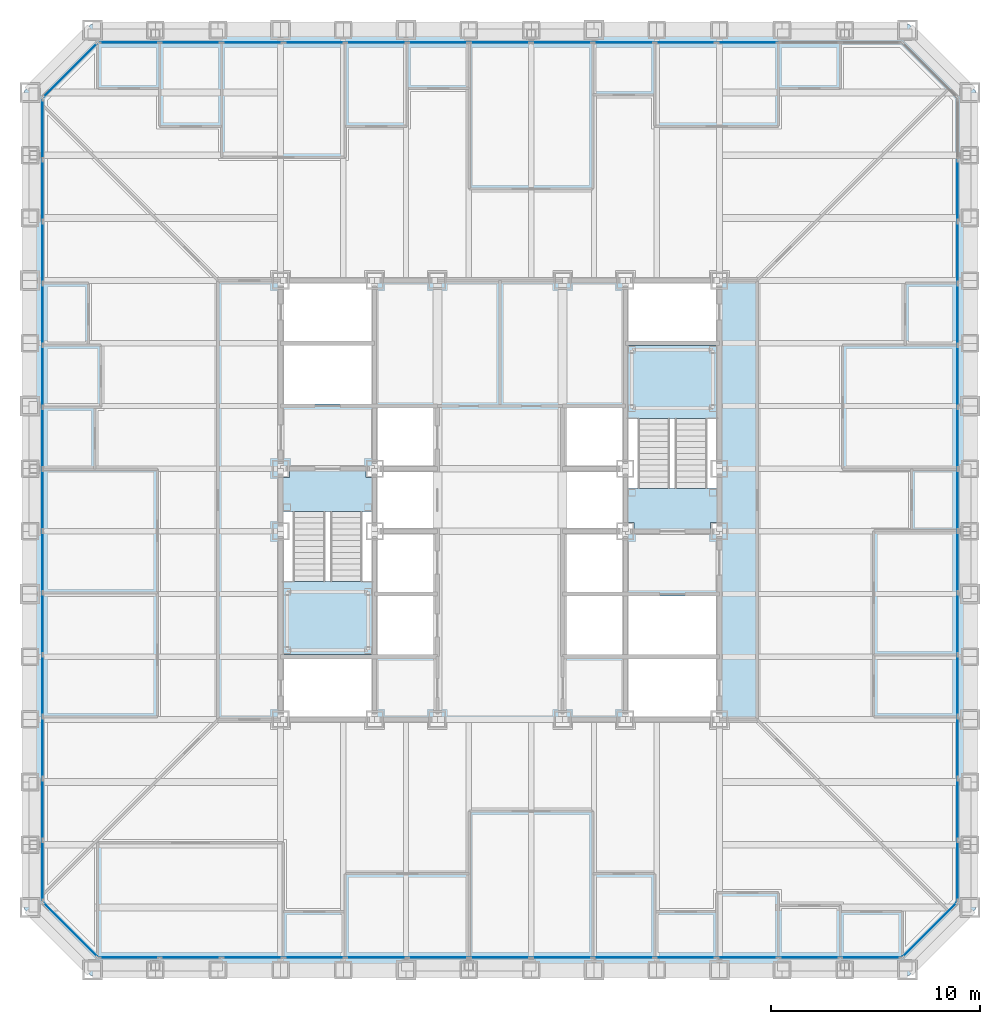
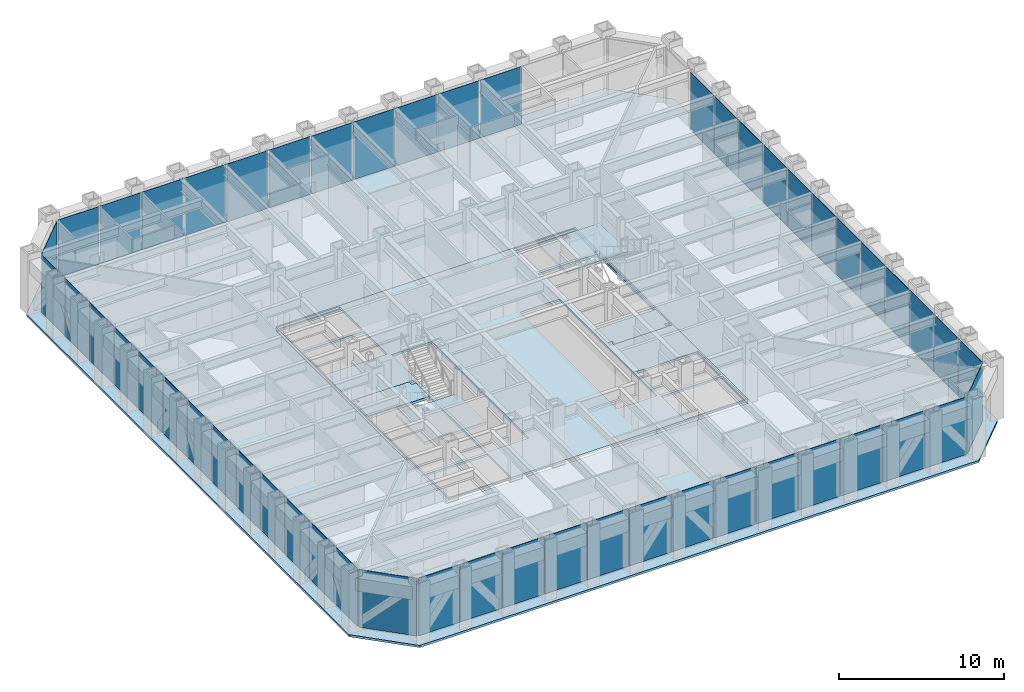
# One storey, part 7 of 17: 52 plates, 6 slabs, 9 elements without a shape of their own.
"""IFC4 building model written with IfcOpenShell, lengths in metres."""

from ifc_helpers import new_model, si_unit, direction, frame, origin, origin_2d, place, context, subcontext, project, spatial, polyline, rectangle, outline, extrude, material, layer, layer_set, type_object, element, aggregate, save


model = new_model("IFC4")

# Units and contexts
model_context = context("Model", 3, precision=1e-05, world=origin(), true_north=direction((0.0, 1.0)))
body_context = subcontext(model_context, "Body", "Model", "MODEL_VIEW")
ifc_project = project(units=[si_unit("LENGTHUNIT", "METRE"), si_unit("AREAUNIT", "SQUARE_METRE"), si_unit("VOLUMEUNIT", "CUBIC_METRE"), si_unit("PLANEANGLEUNIT", "RADIAN"), si_unit("MASSUNIT", "GRAM", prefix="KILO")], contexts=[model_context])

# Site, building, storey
site_placement = place(None, origin())
site = spatial("IfcSite", under=ifc_project, at=site_placement, CompositionType="ELEMENT")
building_placement = place(site_placement, origin())
building = spatial("IfcBuilding", under=site, at=building_placement, Name="Chuquiago Exchange Tower", CompositionType="ELEMENT")
storey_placement = place(building_placement, frame((0.0, 0.0, 87.300048828125)))
storey = spatial("IfcBuildingStorey", under=building, at=storey_placement, Name="L18", CompositionType="ELEMENT", Elevation=87.300048828125)

# Curtain wall, plates
ifc_material_1 = material(Name="Aluminium curtain wall system", Category="aluminium")
ifc_layer_1 = layer(ifc_material_1, 0.25)
ifc_layer_set_1 = layer_set([ifc_layer_1], Name="CW1 trading floor curtain wall")
curtain_wall_type_1 = type_object("IfcCurtainWallType", Name="CW1 trading floor curtain wall", PredefinedType="NOTDEFINED", material=ifc_layer_set_1)
curtain_wall_1_placement = place(storey_placement, origin())
curtain_wall_1 = element("IfcCurtainWall", 1, at=curtain_wall_1_placement, inside=storey, type_object=curtain_wall_type_1, Name="CW1 curtain wall L18", PredefinedType="NOTDEFINED")
ifc_material_2 = material(Name="Glass, insulating unit", Category="glass")
ifc_layer_2 = layer(ifc_material_2, 0.031982421875)
ifc_layer_set_2 = layer_set([ifc_layer_2], Name="CW1-P panel 32")
plate_type_1 = type_object("IfcPlateType", Name="CW1-P panel 32", PredefinedType="CURTAIN_PANEL", material=ifc_layer_set_2)
plate_1_placement = place(storey_placement, frame((10.65283203125, 0.60009765625, -0.22509765625), z_axis=(0.0, 0.0, 1.0), x_axis=(1.0, 0.0, 0.0)))
plate_1 = element("IfcPlate", 2, at=plate_1_placement, type_object=plate_type_1, Name="CW1 panel 3.1", PredefinedType="CURTAIN_PANEL", context=body_context, shape_type="SweptSolid", body=[
    extrude(rectangle(XDim=2.88671875, YDim=0.031982421875, at=origin_2d()), origin(), (0.0, 0.0, 1.0), 4.264892578125),
])
plate_2_placement = place(storey_placement, frame((13.61474609375, 0.60009765625, -0.22509765625), z_axis=(0.0, 0.0, 1.0), x_axis=(1.0, 0.0, 0.0)))
plate_2 = element("IfcPlate", 3, at=plate_2_placement, type_object=plate_type_1, Name="CW1 panel 4.1", PredefinedType="CURTAIN_PANEL", context=body_context, shape_type="SweptSolid", body=[
    extrude(rectangle(XDim=2.88671875, YDim=0.031982421875, at=origin_2d()), origin(), (0.0, 0.0, 1.0), 4.264892578125),
])
plate_3_placement = place(storey_placement, frame((16.576416015625, 0.60009765625, -0.22509765625), z_axis=(0.0, 0.0, 1.0), x_axis=(1.0, 0.0, 0.0)))
plate_3 = element("IfcPlate", 4, at=plate_3_placement, type_object=plate_type_1, Name="CW1 panel 5.1", PredefinedType="CURTAIN_PANEL", context=body_context, shape_type="SweptSolid", body=[
    extrude(rectangle(XDim=2.88671875, YDim=0.031982421875, at=origin_2d()), origin(), (0.0, 0.0, 1.0), 4.264892578125),
])
plate_4_placement = place(storey_placement, frame((25.461669921875, 0.60009765625, -0.22509765625), z_axis=(0.0, 0.0, 1.0), x_axis=(1.0, 0.0, 0.0)))
plate_4 = element("IfcPlate", 5, at=plate_4_placement, type_object=plate_type_1, Name="CW1 panel 8.1", PredefinedType="CURTAIN_PANEL", context=body_context, shape_type="SweptSolid", body=[
    extrude(rectangle(XDim=2.88671875, YDim=0.031982421875, at=origin_2d()), origin(), (0.0, 0.0, 1.0), 4.264892578125),
])
plate_5_placement = place(storey_placement, frame((28.423583984375, 0.60009765625, -0.22509765625), z_axis=(0.0, 0.0, 1.0), x_axis=(1.0, 0.0, 0.0)))
plate_5 = element("IfcPlate", 6, at=plate_5_placement, type_object=plate_type_1, Name="CW1 panel 9.1", PredefinedType="CURTAIN_PANEL", context=body_context, shape_type="SweptSolid", body=[
    extrude(rectangle(XDim=2.88671875, YDim=0.031982421875, at=origin_2d()), origin(), (0.0, 0.0, 1.0), 4.264892578125),
])
plate_6_placement = place(storey_placement, frame((31.38525390625, 0.60009765625, -0.22509765625), z_axis=(0.0, 0.0, 1.0), x_axis=(1.0, 0.0, 0.0)))
plate_6 = element("IfcPlate", 7, at=plate_6_placement, type_object=plate_type_1, Name="CW1 panel 10.1", PredefinedType="CURTAIN_PANEL", context=body_context, shape_type="SweptSolid", body=[
    extrude(rectangle(XDim=2.88671875, YDim=0.031982421875, at=origin_2d()), origin(), (0.0, 0.0, 1.0), 4.264892578125),
])
plate_7_placement = place(storey_placement, frame((34.34716796875, 0.60009765625, -0.22509765625), z_axis=(0.0, 0.0, 1.0), x_axis=(1.0, 0.0, 0.0)))
plate_7 = element("IfcPlate", 8, at=plate_7_placement, type_object=plate_type_1, Name="CW1 panel 11.1", PredefinedType="CURTAIN_PANEL", context=body_context, shape_type="SweptSolid", body=[
    extrude(rectangle(XDim=2.88671875, YDim=0.031982421875, at=origin_2d()), origin(), (0.0, 0.0, 1.0), 4.264892578125),
])

curtain_wall_2_placement = place(storey_placement, origin())
curtain_wall_2 = element("IfcCurtainWall", 9, at=curtain_wall_2_placement, inside=storey, type_object=curtain_wall_type_1, Name="CW1 curtain wall L18", PredefinedType="NOTDEFINED")
plate_8_placement = place(storey_placement, frame((44.39990234375, 10.65283203125, -0.22509765625), z_axis=(0.0, 0.0, 1.0), x_axis=(0.0, 1.0, 0.0)))
plate_8 = element("IfcPlate", 10, at=plate_8_placement, type_object=plate_type_1, Name="CW1 panel 3.1", PredefinedType="CURTAIN_PANEL", context=body_context, shape_type="SweptSolid", body=[
    extrude(rectangle(XDim=2.88671875, YDim=0.031982421875, at=origin_2d()), origin(), (0.0, 0.0, 1.0), 4.264892578125),
])
plate_9_placement = place(storey_placement, frame((44.39990234375, 13.61474609375, -0.22509765625), z_axis=(0.0, 0.0, 1.0), x_axis=(0.0, 1.0, 0.0)))
plate_9 = element("IfcPlate", 11, at=plate_9_placement, type_object=plate_type_1, Name="CW1 panel 4.1", PredefinedType="CURTAIN_PANEL", context=body_context, shape_type="SweptSolid", body=[
    extrude(rectangle(XDim=2.88671875, YDim=0.031982421875, at=origin_2d()), origin(), (0.0, 0.0, 1.0), 4.264892578125),
])
plate_10_placement = place(storey_placement, frame((44.39990234375, 16.576416015625, -0.22509765625), z_axis=(0.0, 0.0, 1.0), x_axis=(0.0, 1.0, 0.0)))
plate_10 = element("IfcPlate", 12, at=plate_10_placement, type_object=plate_type_1, Name="CW1 panel 5.1", PredefinedType="CURTAIN_PANEL", context=body_context, shape_type="SweptSolid", body=[
    extrude(rectangle(XDim=2.88671875, YDim=0.031982421875, at=origin_2d()), origin(), (0.0, 0.0, 1.0), 4.264892578125),
])
plate_11_placement = place(storey_placement, frame((44.39990234375, 25.461669921875, -0.22509765625), z_axis=(0.0, 0.0, 1.0), x_axis=(0.0, 1.0, 0.0)))
plate_11 = element("IfcPlate", 13, at=plate_11_placement, type_object=plate_type_1, Name="CW1 panel 8.1", PredefinedType="CURTAIN_PANEL", context=body_context, shape_type="SweptSolid", body=[
    extrude(rectangle(XDim=2.88671875, YDim=0.031982421875, at=origin_2d()), origin(), (0.0, 0.0, 1.0), 4.264892578125),
])
plate_12_placement = place(storey_placement, frame((44.39990234375, 28.423583984375, -0.22509765625), z_axis=(0.0, 0.0, 1.0), x_axis=(0.0, 1.0, 0.0)))
plate_12 = element("IfcPlate", 14, at=plate_12_placement, type_object=plate_type_1, Name="CW1 panel 9.1", PredefinedType="CURTAIN_PANEL", context=body_context, shape_type="SweptSolid", body=[
    extrude(rectangle(XDim=2.88671875, YDim=0.031982421875, at=origin_2d()), origin(), (0.0, 0.0, 1.0), 4.264892578125),
])
plate_13_placement = place(storey_placement, frame((44.39990234375, 31.38525390625, -0.22509765625), z_axis=(0.0, 0.0, 1.0), x_axis=(0.0, 1.0, 0.0)))
plate_13 = element("IfcPlate", 15, at=plate_13_placement, type_object=plate_type_1, Name="CW1 panel 10.1", PredefinedType="CURTAIN_PANEL", context=body_context, shape_type="SweptSolid", body=[
    extrude(rectangle(XDim=2.88671875, YDim=0.031982421875, at=origin_2d()), origin(), (0.0, 0.0, 1.0), 4.264892578125),
])
plate_14_placement = place(storey_placement, frame((44.39990234375, 34.34716796875, -0.22509765625), z_axis=(0.0, 0.0, 1.0), x_axis=(0.0, 1.0, 0.0)))
plate_14 = element("IfcPlate", 16, at=plate_14_placement, type_object=plate_type_1, Name="CW1 panel 11.1", PredefinedType="CURTAIN_PANEL", context=body_context, shape_type="SweptSolid", body=[
    extrude(rectangle(XDim=2.88671875, YDim=0.031982421875, at=origin_2d()), origin(), (0.0, 0.0, 1.0), 4.264892578125),
])

curtain_wall_3_placement = place(storey_placement, origin())
curtain_wall_3 = element("IfcCurtainWall", 17, at=curtain_wall_3_placement, inside=storey, type_object=curtain_wall_type_1, Name="CW1 curtain wall L18", PredefinedType="NOTDEFINED")
plate_15_placement = place(storey_placement, frame((34.34716796875, 44.39990234375, -0.22509765625), z_axis=(0.0, 0.0, 1.0), x_axis=(-1.0, 0.0, 0.0)))
plate_15 = element("IfcPlate", 18, at=plate_15_placement, type_object=plate_type_1, Name="CW1 panel 3.1", PredefinedType="CURTAIN_PANEL", context=body_context, shape_type="SweptSolid", body=[
    extrude(rectangle(XDim=2.88671875, YDim=0.031982421875, at=origin_2d()), origin(), (0.0, 0.0, 1.0), 4.264892578125),
])
plate_16_placement = place(storey_placement, frame((31.38525390625, 44.39990234375, -0.22509765625), z_axis=(0.0, 0.0, 1.0), x_axis=(-1.0, 0.0, 0.0)))
plate_16 = element("IfcPlate", 19, at=plate_16_placement, type_object=plate_type_1, Name="CW1 panel 4.1", PredefinedType="CURTAIN_PANEL", context=body_context, shape_type="SweptSolid", body=[
    extrude(rectangle(XDim=2.88671875, YDim=0.031982421875, at=origin_2d()), origin(), (0.0, 0.0, 1.0), 4.264892578125),
])
plate_17_placement = place(storey_placement, frame((28.423583984375, 44.39990234375, -0.22509765625), z_axis=(0.0, 0.0, 1.0), x_axis=(-1.0, 0.0, 0.0)))
plate_17 = element("IfcPlate", 20, at=plate_17_placement, type_object=plate_type_1, Name="CW1 panel 5.1", PredefinedType="CURTAIN_PANEL", context=body_context, shape_type="SweptSolid", body=[
    extrude(rectangle(XDim=2.88671875, YDim=0.031982421875, at=origin_2d()), origin(), (0.0, 0.0, 1.0), 4.264892578125),
])
plate_18_placement = place(storey_placement, frame((19.538330078125, 44.39990234375, -0.22509765625), z_axis=(0.0, 0.0, 1.0), x_axis=(-1.0, 0.0, 0.0)))
plate_18 = element("IfcPlate", 21, at=plate_18_placement, type_object=plate_type_1, Name="CW1 panel 8.1", PredefinedType="CURTAIN_PANEL", context=body_context, shape_type="SweptSolid", body=[
    extrude(rectangle(XDim=2.88671875, YDim=0.031982421875, at=origin_2d()), origin(), (0.0, 0.0, 1.0), 4.264892578125),
])
plate_19_placement = place(storey_placement, frame((16.576416015625, 44.39990234375, -0.22509765625), z_axis=(0.0, 0.0, 1.0), x_axis=(-1.0, 0.0, 0.0)))
plate_19 = element("IfcPlate", 22, at=plate_19_placement, type_object=plate_type_1, Name="CW1 panel 9.1", PredefinedType="CURTAIN_PANEL", context=body_context, shape_type="SweptSolid", body=[
    extrude(rectangle(XDim=2.88671875, YDim=0.031982421875, at=origin_2d()), origin(), (0.0, 0.0, 1.0), 4.264892578125),
])
plate_20_placement = place(storey_placement, frame((13.61474609375, 44.39990234375, -0.22509765625), z_axis=(0.0, 0.0, 1.0), x_axis=(-1.0, 0.0, 0.0)))
plate_20 = element("IfcPlate", 23, at=plate_20_placement, type_object=plate_type_1, Name="CW1 panel 10.1", PredefinedType="CURTAIN_PANEL", context=body_context, shape_type="SweptSolid", body=[
    extrude(rectangle(XDim=2.88671875, YDim=0.031982421875, at=origin_2d()), origin(), (0.0, 0.0, 1.0), 4.264892578125),
])
plate_21_placement = place(storey_placement, frame((10.65283203125, 44.39990234375, -0.22509765625), z_axis=(0.0, 0.0, 1.0), x_axis=(-1.0, 0.0, 0.0)))
plate_21 = element("IfcPlate", 24, at=plate_21_placement, type_object=plate_type_1, Name="CW1 panel 11.1", PredefinedType="CURTAIN_PANEL", context=body_context, shape_type="SweptSolid", body=[
    extrude(rectangle(XDim=2.88671875, YDim=0.031982421875, at=origin_2d()), origin(), (0.0, 0.0, 1.0), 4.264892578125),
])

curtain_wall_4_placement = place(storey_placement, origin())
curtain_wall_4 = element("IfcCurtainWall", 25, at=curtain_wall_4_placement, inside=storey, type_object=curtain_wall_type_1, Name="CW1 curtain wall L18", PredefinedType="NOTDEFINED")
plate_22_placement = place(storey_placement, frame((0.60009765625, 34.34716796875, -0.22509765625), z_axis=(0.0, 0.0, 1.0), x_axis=(0.0, -1.0, 0.0)))
plate_22 = element("IfcPlate", 26, at=plate_22_placement, type_object=plate_type_1, Name="CW1 panel 3.1", PredefinedType="CURTAIN_PANEL", context=body_context, shape_type="SweptSolid", body=[
    extrude(rectangle(XDim=2.88671875, YDim=0.031982421875, at=origin_2d()), origin(), (0.0, 0.0, 1.0), 4.264892578125),
])
plate_23_placement = place(storey_placement, frame((0.60009765625, 31.38525390625, -0.22509765625), z_axis=(0.0, 0.0, 1.0), x_axis=(0.0, -1.0, 0.0)))
plate_23 = element("IfcPlate", 27, at=plate_23_placement, type_object=plate_type_1, Name="CW1 panel 4.1", PredefinedType="CURTAIN_PANEL", context=body_context, shape_type="SweptSolid", body=[
    extrude(rectangle(XDim=2.88671875, YDim=0.031982421875, at=origin_2d()), origin(), (0.0, 0.0, 1.0), 4.264892578125),
])
plate_24_placement = place(storey_placement, frame((0.60009765625, 28.423583984375, -0.22509765625), z_axis=(0.0, 0.0, 1.0), x_axis=(0.0, -1.0, 0.0)))
plate_24 = element("IfcPlate", 28, at=plate_24_placement, type_object=plate_type_1, Name="CW1 panel 5.1", PredefinedType="CURTAIN_PANEL", context=body_context, shape_type="SweptSolid", body=[
    extrude(rectangle(XDim=2.88671875, YDim=0.031982421875, at=origin_2d()), origin(), (0.0, 0.0, 1.0), 4.264892578125),
])
plate_25_placement = place(storey_placement, frame((0.60009765625, 19.538330078125, -0.22509765625), z_axis=(0.0, 0.0, 1.0), x_axis=(0.0, -1.0, 0.0)))
plate_25 = element("IfcPlate", 29, at=plate_25_placement, type_object=plate_type_1, Name="CW1 panel 8.1", PredefinedType="CURTAIN_PANEL", context=body_context, shape_type="SweptSolid", body=[
    extrude(rectangle(XDim=2.88671875, YDim=0.031982421875, at=origin_2d()), origin(), (0.0, 0.0, 1.0), 4.264892578125),
])
plate_26_placement = place(storey_placement, frame((0.60009765625, 16.576416015625, -0.22509765625), z_axis=(0.0, 0.0, 1.0), x_axis=(0.0, -1.0, 0.0)))
plate_26 = element("IfcPlate", 30, at=plate_26_placement, type_object=plate_type_1, Name="CW1 panel 9.1", PredefinedType="CURTAIN_PANEL", context=body_context, shape_type="SweptSolid", body=[
    extrude(rectangle(XDim=2.88671875, YDim=0.031982421875, at=origin_2d()), origin(), (0.0, 0.0, 1.0), 4.264892578125),
])
plate_27_placement = place(storey_placement, frame((0.60009765625, 13.61474609375, -0.22509765625), z_axis=(0.0, 0.0, 1.0), x_axis=(0.0, -1.0, 0.0)))
plate_27 = element("IfcPlate", 31, at=plate_27_placement, type_object=plate_type_1, Name="CW1 panel 10.1", PredefinedType="CURTAIN_PANEL", context=body_context, shape_type="SweptSolid", body=[
    extrude(rectangle(XDim=2.88671875, YDim=0.031982421875, at=origin_2d()), origin(), (0.0, 0.0, 1.0), 4.264892578125),
])
plate_28_placement = place(storey_placement, frame((0.60009765625, 10.65283203125, -0.22509765625), z_axis=(0.0, 0.0, 1.0), x_axis=(0.0, -1.0, 0.0)))
plate_28 = element("IfcPlate", 32, at=plate_28_placement, type_object=plate_type_1, Name="CW1 panel 11.1", PredefinedType="CURTAIN_PANEL", context=body_context, shape_type="SweptSolid", body=[
    extrude(rectangle(XDim=2.88671875, YDim=0.031982421875, at=origin_2d()), origin(), (0.0, 0.0, 1.0), 4.264892578125),
])

# Plate
ifc_material_3 = material(Name="Insulated spandrel panel, pale anodised aluminium", Category="aluminium")
ifc_layer_3 = layer(ifc_material_3, 0.031982421875)
ifc_layer_set_3 = layer_set([ifc_layer_3], Name="CW1-P spandrel panel 32")
plate_type_2 = type_object("IfcPlateType", Name="CW1-P spandrel panel 32", PredefinedType="CURTAIN_PANEL", material=ifc_layer_set_3)
plate_29_placement = place(storey_placement, frame((4.748046875, 0.60009765625, -0.22509765625), z_axis=(0.0, 0.0, 1.0), x_axis=(1.0, 0.0, 0.0)))
plate_29 = element("IfcPlate", 33, at=plate_29_placement, type_object=plate_type_2, Name="CW1 panel 1.1", PredefinedType="CURTAIN_PANEL", context=body_context, shape_type="SweptSolid", body=[
    extrude(rectangle(XDim=2.849365234375, YDim=0.031982421875, at=origin_2d()), origin(), (0.0, 0.0, 1.0), 4.264892578125),
])

plate_30_placement = place(storey_placement, frame((7.691162109375, 0.60009765625, -0.22509765625), z_axis=(0.0, 0.0, 1.0), x_axis=(1.0, 0.0, 0.0)))
plate_30 = element("IfcPlate", 34, at=plate_30_placement, type_object=plate_type_2, Name="CW1 panel 2.1", PredefinedType="CURTAIN_PANEL", context=body_context, shape_type="SweptSolid", body=[
    extrude(rectangle(XDim=2.88671875, YDim=0.031982421875, at=origin_2d()), origin(), (0.0, 0.0, 1.0), 4.264892578125),
])

plate_31_placement = place(storey_placement, frame((19.538330078125, 0.60009765625, -0.22509765625), z_axis=(0.0, 0.0, 1.0), x_axis=(1.0, 0.0, 0.0)))
plate_31 = element("IfcPlate", 35, at=plate_31_placement, type_object=plate_type_2, Name="CW1 panel 6.1", PredefinedType="CURTAIN_PANEL", context=body_context, shape_type="SweptSolid", body=[
    extrude(rectangle(XDim=2.88671875, YDim=0.031982421875, at=origin_2d()), origin(), (0.0, 0.0, 1.0), 4.264892578125),
])

plate_32_placement = place(storey_placement, frame((22.5, 0.60009765625, -0.22509765625), z_axis=(0.0, 0.0, 1.0), x_axis=(1.0, 0.0, 0.0)))
plate_32 = element("IfcPlate", 36, at=plate_32_placement, type_object=plate_type_2, Name="CW1 panel 7.1", PredefinedType="CURTAIN_PANEL", context=body_context, shape_type="SweptSolid", body=[
    extrude(rectangle(XDim=2.88671875, YDim=0.031982421875, at=origin_2d()), origin(), (0.0, 0.0, 1.0), 4.264892578125),
])

plate_33_placement = place(storey_placement, frame((37.308837890625, 0.60009765625, -0.22509765625), z_axis=(0.0, 0.0, 1.0), x_axis=(1.0, 0.0, 0.0)))
plate_33 = element("IfcPlate", 37, at=plate_33_placement, type_object=plate_type_2, Name="CW1 panel 12.1", PredefinedType="CURTAIN_PANEL", context=body_context, shape_type="SweptSolid", body=[
    extrude(rectangle(XDim=2.88671875, YDim=0.031982421875, at=origin_2d()), origin(), (0.0, 0.0, 1.0), 4.264892578125),
])

plate_34_placement = place(storey_placement, frame((40.251953125, 0.60009765625, -0.22509765625), z_axis=(0.0, 0.0, 1.0), x_axis=(1.0, 0.0, 0.0)))
plate_34 = element("IfcPlate", 38, at=plate_34_placement, type_object=plate_type_2, Name="CW1 panel 13.1", PredefinedType="CURTAIN_PANEL", context=body_context, shape_type="SweptSolid", body=[
    extrude(rectangle(XDim=2.849365234375, YDim=0.031982421875, at=origin_2d()), origin(), (0.0, 0.0, 1.0), 4.264892578125),
])

aggregate(curtain_wall_1, [plate_29, plate_30, plate_1, plate_2, plate_3, plate_31, plate_32, plate_4, plate_5, plate_6, plate_7, plate_33, plate_34])

plate_35_placement = place(storey_placement, frame((44.39990234375, 4.748046875, -0.22509765625), z_axis=(0.0, 0.0, 1.0), x_axis=(0.0, 1.0, 0.0)))
plate_35 = element("IfcPlate", 39, at=plate_35_placement, type_object=plate_type_2, Name="CW1 panel 1.1", PredefinedType="CURTAIN_PANEL", context=body_context, shape_type="SweptSolid", body=[
    extrude(rectangle(XDim=2.849365234375, YDim=0.031982421875, at=origin_2d()), origin(), (0.0, 0.0, 1.0), 4.264892578125),
])

plate_36_placement = place(storey_placement, frame((44.39990234375, 7.691162109375, -0.22509765625), z_axis=(0.0, 0.0, 1.0), x_axis=(0.0, 1.0, 0.0)))
plate_36 = element("IfcPlate", 40, at=plate_36_placement, type_object=plate_type_2, Name="CW1 panel 2.1", PredefinedType="CURTAIN_PANEL", context=body_context, shape_type="SweptSolid", body=[
    extrude(rectangle(XDim=2.88671875, YDim=0.031982421875, at=origin_2d()), origin(), (0.0, 0.0, 1.0), 4.264892578125),
])

plate_37_placement = place(storey_placement, frame((44.39990234375, 19.538330078125, -0.22509765625), z_axis=(0.0, 0.0, 1.0), x_axis=(0.0, 1.0, 0.0)))
plate_37 = element("IfcPlate", 41, at=plate_37_placement, type_object=plate_type_2, Name="CW1 panel 6.1", PredefinedType="CURTAIN_PANEL", context=body_context, shape_type="SweptSolid", body=[
    extrude(rectangle(XDim=2.88671875, YDim=0.031982421875, at=origin_2d()), origin(), (0.0, 0.0, 1.0), 4.264892578125),
])

plate_38_placement = place(storey_placement, frame((44.39990234375, 22.5, -0.22509765625), z_axis=(0.0, 0.0, 1.0), x_axis=(0.0, 1.0, 0.0)))
plate_38 = element("IfcPlate", 42, at=plate_38_placement, type_object=plate_type_2, Name="CW1 panel 7.1", PredefinedType="CURTAIN_PANEL", context=body_context, shape_type="SweptSolid", body=[
    extrude(rectangle(XDim=2.88671875, YDim=0.031982421875, at=origin_2d()), origin(), (0.0, 0.0, 1.0), 4.264892578125),
])

plate_39_placement = place(storey_placement, frame((44.39990234375, 37.308837890625, -0.22509765625), z_axis=(0.0, 0.0, 1.0), x_axis=(0.0, 1.0, 0.0)))
plate_39 = element("IfcPlate", 43, at=plate_39_placement, type_object=plate_type_2, Name="CW1 panel 12.1", PredefinedType="CURTAIN_PANEL", context=body_context, shape_type="SweptSolid", body=[
    extrude(rectangle(XDim=2.88671875, YDim=0.031982421875, at=origin_2d()), origin(), (0.0, 0.0, 1.0), 4.264892578125),
])

aggregate(curtain_wall_2, [plate_35, plate_36, plate_8, plate_9, plate_10, plate_37, plate_38, plate_11, plate_12, plate_13, plate_14, plate_39])

plate_40_placement = place(storey_placement, frame((25.461669921875, 44.39990234375, -0.22509765625), z_axis=(0.0, 0.0, 1.0), x_axis=(-1.0, 0.0, 0.0)))
plate_40 = element("IfcPlate", 44, at=plate_40_placement, type_object=plate_type_2, Name="CW1 panel 6.1", PredefinedType="CURTAIN_PANEL", context=body_context, shape_type="SweptSolid", body=[
    extrude(rectangle(XDim=2.88671875, YDim=0.031982421875, at=origin_2d()), origin(), (0.0, 0.0, 1.0), 4.264892578125),
])

plate_41_placement = place(storey_placement, frame((22.5, 44.39990234375, -0.22509765625), z_axis=(0.0, 0.0, 1.0), x_axis=(-1.0, 0.0, 0.0)))
plate_41 = element("IfcPlate", 45, at=plate_41_placement, type_object=plate_type_2, Name="CW1 panel 7.1", PredefinedType="CURTAIN_PANEL", context=body_context, shape_type="SweptSolid", body=[
    extrude(rectangle(XDim=2.88671875, YDim=0.031982421875, at=origin_2d()), origin(), (0.0, 0.0, 1.0), 4.264892578125),
])

plate_42_placement = place(storey_placement, frame((7.691162109375, 44.39990234375, -0.22509765625), z_axis=(0.0, 0.0, 1.0), x_axis=(-1.0, 0.0, 0.0)))
plate_42 = element("IfcPlate", 46, at=plate_42_placement, type_object=plate_type_2, Name="CW1 panel 12.1", PredefinedType="CURTAIN_PANEL", context=body_context, shape_type="SweptSolid", body=[
    extrude(rectangle(XDim=2.88671875, YDim=0.031982421875, at=origin_2d()), origin(), (0.0, 0.0, 1.0), 4.264892578125),
])

plate_43_placement = place(storey_placement, frame((4.748046875, 44.39990234375, -0.22509765625), z_axis=(0.0, 0.0, 1.0), x_axis=(-1.0, 0.0, 0.0)))
plate_43 = element("IfcPlate", 47, at=plate_43_placement, type_object=plate_type_2, Name="CW1 panel 13.1", PredefinedType="CURTAIN_PANEL", context=body_context, shape_type="SweptSolid", body=[
    extrude(rectangle(XDim=2.849365234375, YDim=0.031982421875, at=origin_2d()), origin(), (0.0, 0.0, 1.0), 4.264892578125),
])

aggregate(curtain_wall_3, [plate_15, plate_16, plate_17, plate_40, plate_41, plate_18, plate_19, plate_20, plate_21, plate_42, plate_43])

plate_44_placement = place(storey_placement, frame((0.60009765625, 40.251953125, -0.22509765625), z_axis=(0.0, 0.0, 1.0), x_axis=(0.0, -1.0, 0.0)))
plate_44 = element("IfcPlate", 48, at=plate_44_placement, type_object=plate_type_2, Name="CW1 panel 1.1", PredefinedType="CURTAIN_PANEL", context=body_context, shape_type="SweptSolid", body=[
    extrude(rectangle(XDim=2.849365234375, YDim=0.031982421875, at=origin_2d()), origin(), (0.0, 0.0, 1.0), 4.264892578125),
])

plate_45_placement = place(storey_placement, frame((0.60009765625, 37.308837890625, -0.22509765625), z_axis=(0.0, 0.0, 1.0), x_axis=(0.0, -1.0, 0.0)))
plate_45 = element("IfcPlate", 49, at=plate_45_placement, type_object=plate_type_2, Name="CW1 panel 2.1", PredefinedType="CURTAIN_PANEL", context=body_context, shape_type="SweptSolid", body=[
    extrude(rectangle(XDim=2.88671875, YDim=0.031982421875, at=origin_2d()), origin(), (0.0, 0.0, 1.0), 4.264892578125),
])

plate_46_placement = place(storey_placement, frame((0.60009765625, 25.461669921875, -0.22509765625), z_axis=(0.0, 0.0, 1.0), x_axis=(0.0, -1.0, 0.0)))
plate_46 = element("IfcPlate", 50, at=plate_46_placement, type_object=plate_type_2, Name="CW1 panel 6.1", PredefinedType="CURTAIN_PANEL", context=body_context, shape_type="SweptSolid", body=[
    extrude(rectangle(XDim=2.88671875, YDim=0.031982421875, at=origin_2d()), origin(), (0.0, 0.0, 1.0), 4.264892578125),
])

plate_47_placement = place(storey_placement, frame((0.60009765625, 22.5, -0.22509765625), z_axis=(0.0, 0.0, 1.0), x_axis=(0.0, -1.0, 0.0)))
plate_47 = element("IfcPlate", 51, at=plate_47_placement, type_object=plate_type_2, Name="CW1 panel 7.1", PredefinedType="CURTAIN_PANEL", context=body_context, shape_type="SweptSolid", body=[
    extrude(rectangle(XDim=2.88671875, YDim=0.031982421875, at=origin_2d()), origin(), (0.0, 0.0, 1.0), 4.264892578125),
])

plate_48_placement = place(storey_placement, frame((0.60009765625, 7.691162109375, -0.22509765625), z_axis=(0.0, 0.0, 1.0), x_axis=(0.0, -1.0, 0.0)))
plate_48 = element("IfcPlate", 52, at=plate_48_placement, type_object=plate_type_2, Name="CW1 panel 12.1", PredefinedType="CURTAIN_PANEL", context=body_context, shape_type="SweptSolid", body=[
    extrude(rectangle(XDim=2.88671875, YDim=0.031982421875, at=origin_2d()), origin(), (0.0, 0.0, 1.0), 4.264892578125),
])

plate_49_placement = place(storey_placement, frame((0.60009765625, 4.748046875, -0.22509765625), z_axis=(0.0, 0.0, 1.0), x_axis=(0.0, -1.0, 0.0)))
plate_49 = element("IfcPlate", 53, at=plate_49_placement, type_object=plate_type_2, Name="CW1 panel 13.1", PredefinedType="CURTAIN_PANEL", context=body_context, shape_type="SweptSolid", body=[
    extrude(rectangle(XDim=2.849365234375, YDim=0.031982421875, at=origin_2d()), origin(), (0.0, 0.0, 1.0), 4.264892578125),
])

aggregate(curtain_wall_4, [plate_44, plate_45, plate_22, plate_23, plate_24, plate_46, plate_47, plate_25, plate_26, plate_27, plate_28, plate_48, plate_49])

# Curtain wall, plate
ifc_material_4 = material(Name="Aluminium curtain wall system", Category="aluminium")
ifc_layer_4 = layer(ifc_material_4, 0.199951171875)
ifc_layer_set_4 = layer_set([ifc_layer_4], Name="CW3 facet curtain wall")
curtain_wall_type_2 = type_object("IfcCurtainWallType", Name="CW3 facet curtain wall", PredefinedType="NOTDEFINED", material=ifc_layer_set_4)
curtain_wall_5_placement = place(storey_placement, origin())
curtain_wall_5 = element("IfcCurtainWall", 54, at=curtain_wall_5_placement, inside=storey, type_object=curtain_wall_type_2, Name="CW3 curtain wall L18", PredefinedType="NOTDEFINED")
ifc_material_5 = material(Name="Insulated spandrel panel, pale anodised aluminium", Category="aluminium")
ifc_layer_5 = layer(ifc_material_5, 0.030029296875)
ifc_layer_set_5 = layer_set([ifc_layer_5], Name="CW3-P spandrel panel 30")
plate_type_3 = type_object("IfcPlateType", Name="CW3-P spandrel panel 30", PredefinedType="CURTAIN_PANEL", material=ifc_layer_set_5)
plate_50_placement = place(storey_placement, frame((43.07568359375, 1.92431640625, -0.235107421875), z_axis=(0.0, 0.0, 1.0), x_axis=(0.707106781187, 0.707106781187, 0.0)))
plate_50 = element("IfcPlate", 55, at=plate_50_placement, type_object=plate_type_3, Name="CW3 panel 1.1", PredefinedType="CURTAIN_PANEL", context=body_context, shape_type="SweptSolid", body=[
    extrude(rectangle(XDim=3.615478515625, YDim=0.030029296875, at=origin_2d()), origin(), (0.0, 0.0, 1.0), 4.27490234375),
])
aggregate(curtain_wall_5, [plate_50])

curtain_wall_6_placement = place(storey_placement, origin())
curtain_wall_6 = element("IfcCurtainWall", 56, at=curtain_wall_6_placement, inside=storey, type_object=curtain_wall_type_2, Name="CW3 curtain wall L18", PredefinedType="NOTDEFINED")
plate_51_placement = place(storey_placement, frame((1.92431640625, 43.07568359375, -0.235107421875), z_axis=(0.0, 0.0, 1.0), x_axis=(-0.707106781187, -0.707106781187, 0.0)))
plate_51 = element("IfcPlate", 57, at=plate_51_placement, type_object=plate_type_3, Name="CW3 panel 1.1", PredefinedType="CURTAIN_PANEL", context=body_context, shape_type="SweptSolid", body=[
    extrude(rectangle(XDim=3.615478515625, YDim=0.030029296875, at=origin_2d()), origin(), (0.0, 0.0, 1.0), 4.27490234375),
])
aggregate(curtain_wall_6, [plate_51])

curtain_wall_7_placement = place(storey_placement, origin())
curtain_wall_7 = element("IfcCurtainWall", 58, at=curtain_wall_7_placement, inside=storey, type_object=curtain_wall_type_2, Name="CW3 curtain wall L18", PredefinedType="NOTDEFINED")
plate_52_placement = place(storey_placement, frame((1.92431640625, 1.92431640625, -0.235107421875), z_axis=(0.0, 0.0, 1.0), x_axis=(0.707106781187, -0.707106781187, 0.0)))
plate_52 = element("IfcPlate", 59, at=plate_52_placement, type_object=plate_type_3, Name="CW3 panel 1.1", PredefinedType="CURTAIN_PANEL", context=body_context, shape_type="SweptSolid", body=[
    extrude(rectangle(XDim=3.615478515625, YDim=0.030029296875, at=origin_2d()), origin(), (0.0, 0.0, 1.0), 4.27490234375),
])
aggregate(curtain_wall_7, [plate_52])

# Slabs
ifc_material_6 = material(Name="Concrete C30/37", Category="concrete")
ifc_layer_6 = layer(ifc_material_6, 0.159912109375)
ifc_layer_set_6 = layer_set([ifc_layer_6], Name="FS1 composite floor 160")
slab_type_1 = type_object("IfcSlabType", Name="FS1 composite floor 160", PredefinedType="FLOOR", material=ifc_layer_set_6)
slab_1_placement = place(storey_placement, frame((0.0, 0.0, -0.4599609375)))
element("IfcSlab", 60, at=slab_1_placement, inside=storey, type_object=slab_type_1, Name="L18 floor slab, lowered under the raised floor", PredefinedType="FLOOR", context=body_context, shape_type="SweptSolid", body=[
    extrude(outline(polyline([(-0.25, 2.896484375), (-0.25, 42.103515625), (2.896484375, 45.25), (42.103515625, 45.25), (45.25, 42.103515625), (45.25, 2.896484375), (42.103515625, -0.25), (2.896484375, -0.25), (-0.25, 2.896484375)]), holes=[polyline([(33.0, 33.0), (12.0, 33.0), (12.0, 12.0), (33.0, 12.0), (33.0, 33.0)])]), origin(), (0.0, 0.0, 1.0), 0.159912109375),
])
slab_2_placement = place(storey_placement, frame((0.0, 0.0, -0.16015625)))
element("IfcSlab", 61, at=slab_2_placement, inside=storey, type_object=slab_type_1, Name="L18 core floor slab", PredefinedType="FLOOR", context=body_context, shape_type="SweptSolid", body=[
    extrude(outline(polyline([(33.0, 12.0), (33.0, 33.0), (12.0, 33.0), (12.0, 12.0), (33.0, 12.0)]), holes=[polyline([(16.39990234375, 15.10009765625), (12.10009765625, 15.10009765625), (12.10009765625, 23.89990234375), (16.39990234375, 23.89990234375), (16.39990234375, 15.10009765625)]), polyline([(32.89990234375, 21.10009765625), (28.60009765625, 21.10009765625), (28.60009765625, 29.89990234375), (32.89990234375, 29.89990234375), (32.89990234375, 21.10009765625)]), polyline([(16.39990234375, 12.10009765625), (12.10009765625, 12.10009765625), (12.10009765625, 14.89990234375), (16.39990234375, 14.89990234375), (16.39990234375, 12.10009765625)]), polyline([(16.39990234375, 30.10009765625), (12.10009765625, 30.10009765625), (12.10009765625, 32.89990234375), (16.39990234375, 32.89990234375), (16.39990234375, 30.10009765625)]), polyline([(32.89990234375, 12.10009765625), (28.60009765625, 12.10009765625), (28.60009765625, 14.89990234375), (32.89990234375, 14.89990234375), (32.89990234375, 12.10009765625)]), polyline([(32.89990234375, 30.10009765625), (28.60009765625, 30.10009765625), (28.60009765625, 32.89990234375), (32.89990234375, 32.89990234375), (32.89990234375, 30.10009765625)]), polyline([(16.39990234375, 27.10009765625), (12.10009765625, 27.10009765625), (12.10009765625, 29.89990234375), (16.39990234375, 29.89990234375), (16.39990234375, 27.10009765625)]), polyline([(32.89990234375, 15.10009765625), (28.60009765625, 15.10009765625), (28.60009765625, 17.89990234375), (32.89990234375, 17.89990234375), (32.89990234375, 15.10009765625)]), polyline([(19.39990234375, 15.10009765625), (16.60009765625, 15.10009765625), (16.60009765625, 26.89990234375), (19.39990234375, 26.89990234375), (19.39990234375, 15.10009765625)]), polyline([(28.39990234375, 15.10009765625), (25.60009765625, 15.10009765625), (25.60009765625, 26.89990234375), (28.39990234375, 26.89990234375), (28.39990234375, 15.10009765625)])]), origin(), (0.0, 0.0, 1.0), 0.16015625),
])

# Stair, slabs
ifc_material_7 = material(Name="Concrete C30/37, precast", Category="concrete")
stair_type_1 = type_object("IfcStairType", Name="ST1 half-turn stair 4500", PredefinedType="HALF_TURN_STAIR", material=ifc_material_7)
stair_1_placement = place(storey_placement, origin())
stair_1 = element("IfcStair", 62, at=stair_1_placement, inside=storey, type_object=stair_type_1, Name="Stair ST1 L18", PredefinedType="HALF_TURN_STAIR")
ifc_material_8 = material(Name="Concrete C30/37, precast", Category="concrete")
ifc_layer_7 = layer(ifc_material_8, 0.199951171875)
ifc_layer_set_7 = layer_set([ifc_layer_7], Name="ST-L landing 200")
slab_type_2 = type_object("IfcSlabType", Name="ST-L landing 200", PredefinedType="LANDING", material=ifc_layer_set_7)
slab_3_placement = place(storey_placement, frame((0.0, 0.0, -0.199951171875)))
slab_3 = element("IfcSlab", 63, at=slab_3_placement, type_object=slab_type_2, Name="ST1 landing 1", PredefinedType="LANDING", context=body_context, shape_type="SweptSolid", body=[
    extrude(outline(polyline([(12.425048828125, 23.89990234375), (16.074951171875, 23.89990234375), (16.074951171875, 23.574951171875), (16.39990234375, 23.574951171875), (16.39990234375, 21.949951171875), (12.10009765625, 21.949951171875), (12.10009765625, 23.574951171875), (12.425048828125, 23.574951171875), (12.425048828125, 23.89990234375)])), origin(), (0.0, 0.0, 1.0), 0.199951171875),
])
slab_4_placement = place(storey_placement, frame((0.0, 0.0, 2.050048828125)))
slab_4 = element("IfcSlab", 64, at=slab_4_placement, type_object=slab_type_2, Name="ST1 landing 2", PredefinedType="LANDING", context=body_context, shape_type="SweptSolid", body=[
    extrude(outline(polyline([(12.10009765625, 18.590087890625), (16.39990234375, 18.590087890625), (16.39990234375, 15.10009765625), (12.10009765625, 15.10009765625), (12.10009765625, 18.590087890625)])), origin(), (0.0, 0.0, 1.0), 0.199951171875),
])
aggregate(stair_1, [slab_3, slab_4])

ifc_material_9 = material(Name="Concrete C30/37, precast", Category="concrete")
stair_type_2 = type_object("IfcStairType", Name="ST2 half-turn stair 4500", PredefinedType="HALF_TURN_STAIR", material=ifc_material_9)
stair_2_placement = place(storey_placement, origin())
stair_2 = element("IfcStair", 65, at=stair_2_placement, inside=storey, type_object=stair_type_2, Name="Stair ST2 L18", PredefinedType="HALF_TURN_STAIR")
slab_5_placement = place(storey_placement, frame((0.0, 0.0, -0.199951171875)))
slab_5 = element("IfcSlab", 66, at=slab_5_placement, type_object=slab_type_2, Name="ST2 landing 1", PredefinedType="LANDING", context=body_context, shape_type="SweptSolid", body=[
    extrude(outline(polyline([(32.574951171875, 21.425048828125), (32.574951171875, 21.10009765625), (28.925048828125, 21.10009765625), (28.925048828125, 21.425048828125), (28.60009765625, 21.425048828125), (28.60009765625, 23.050048828125), (32.89990234375, 23.050048828125), (32.89990234375, 21.425048828125), (32.574951171875, 21.425048828125)])), origin(), (0.0, 0.0, 1.0), 0.199951171875),
])
slab_6_placement = place(storey_placement, frame((0.0, 0.0, 2.050048828125)))
slab_6 = element("IfcSlab", 67, at=slab_6_placement, type_object=slab_type_2, Name="ST2 landing 2", PredefinedType="LANDING", context=body_context, shape_type="SweptSolid", body=[
    extrude(outline(polyline([(28.60009765625, 29.89990234375), (32.89990234375, 29.89990234375), (32.89990234375, 26.409912109375), (28.60009765625, 26.409912109375), (28.60009765625, 29.89990234375)])), origin(), (0.0, 0.0, 1.0), 0.199951171875),
])
aggregate(stair_2, [slab_5, slab_6])

save(model, "model.ifc")
